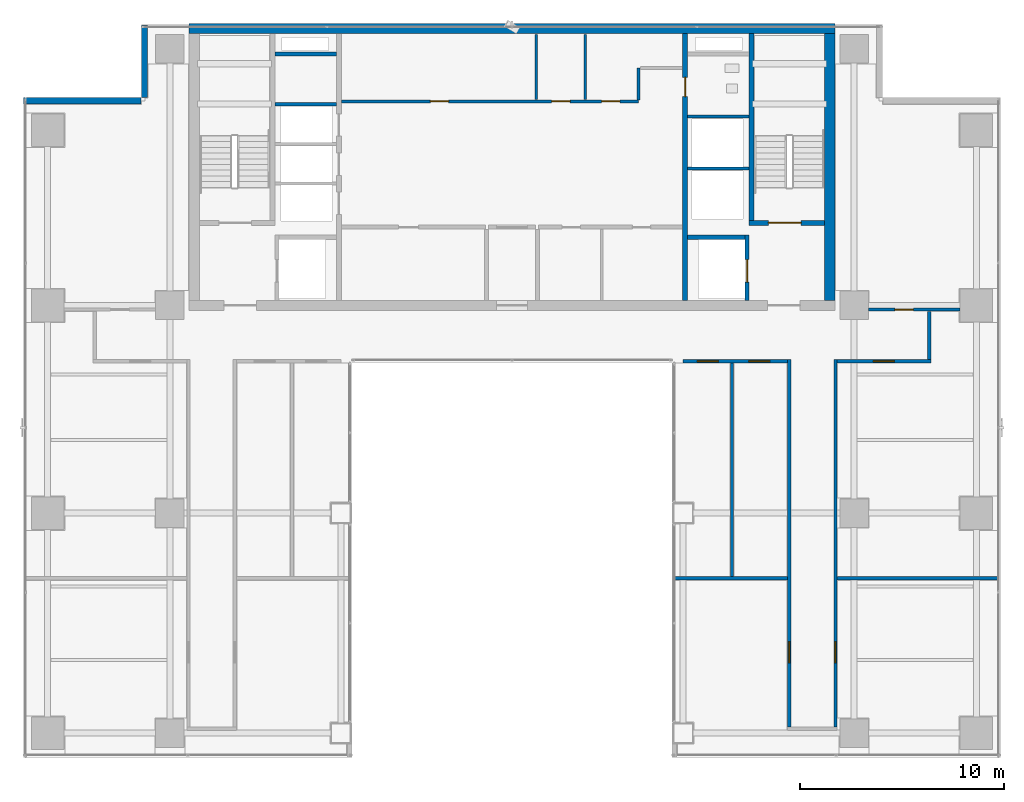
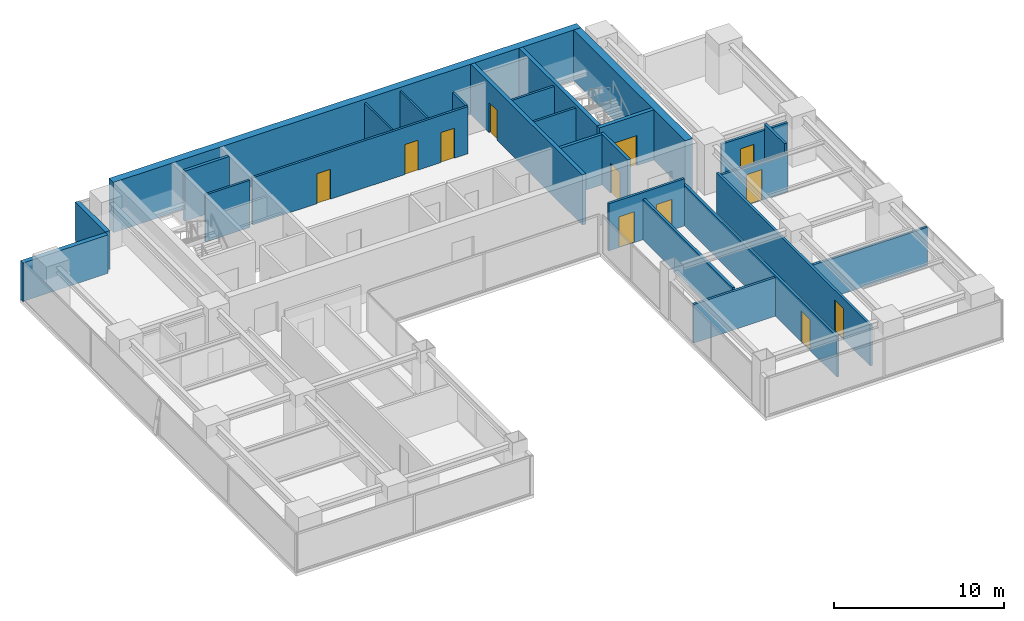
# One storey, part 25 of 29: 26 walls, 12 doors, 12 openings.
"""IFC4 building model written with IfcOpenShell, lengths in metres."""

from ifc_helpers import new_model, si_unit, direction, frame, frame_2d, origin, place, context, subcontext, project, spatial, rectangle, extrude, source, transform, mapped, material, layer, layer_set, type_object, element, fill, save


model = new_model("IFC4")

# Units and contexts
model_context = context("Model", 3, precision=1e-05, world=origin(), true_north=direction((0.0, 1.0)))
body_context = subcontext(model_context, "Body", "Model", "MODEL_VIEW")
ifc_project = project(units=[si_unit("LENGTHUNIT", "METRE"), si_unit("AREAUNIT", "SQUARE_METRE"), si_unit("VOLUMEUNIT", "CUBIC_METRE"), si_unit("PLANEANGLEUNIT", "RADIAN"), si_unit("MASSUNIT", "GRAM", prefix="KILO")], contexts=[model_context])

# Site, building, storey
site_placement = place(None, origin())
site = spatial("IfcSite", under=ifc_project, at=site_placement, CompositionType="ELEMENT")
building_placement = place(site_placement, origin())
building = spatial("IfcBuilding", under=site, at=building_placement, Name="Sumidabori Civic Tower", CompositionType="ELEMENT")
storey_placement = place(building_placement, frame((0.0, 0.0, 218.0)))
storey = spatial("IfcBuildingStorey", under=building, at=storey_placement, Name="L56", CompositionType="ELEMENT", Elevation=218.0)

# Walls
ifc_material_1 = material(Name="Concrete C50/60", Category="concrete")
ifc_layer_1 = layer(ifc_material_1, 0.199951171875, Name="Concrete C50/60")
ifc_layer_set_1 = layer_set([ifc_layer_1], Name="Concrete C50/60")
wall_type_1 = type_object("IfcWallType", Name="WL-SHAFT-200", PredefinedType="SHEAR", material=ifc_layer_set_1)
shared_shape_1 = source(origin(), body_context, "Body", "SweptSolid", [
    extrude(rectangle(XDim=2.824951171875, YDim=0.199951171875, at=frame_2d((1.41259765625, 0.0))), origin(), (0.0, 0.0, 1.0), 3.60009765625),
])
wall_1_placement = place(storey_placement, frame((8.625, 13.550048828125, 0.0), z_axis=(0.0, 0.0, 1.0), x_axis=(1.0, 0.0, 0.0)))
element("IfcWall", 1, at=wall_1_placement, inside=storey, type_object=wall_type_1, Name="Core Shear Wall L56 EL2-N", PredefinedType="SHEAR", context=body_context, shape_type="MappedRepresentation", body=[
    mapped(shared_shape_1, transform((0.0, 0.0, 0.0), x_axis=(1.0, 0.0, 0.0), y_axis=(0.0, 1.0, 0.0), z_axis=(0.0, 0.0, 1.0), scale=1.0)),
])
shared_shape_2 = source(origin(), body_context, "Body", "SweptSolid", [
    extrude(rectangle(XDim=3.02001953125, YDim=0.199951171875, at=frame_2d((1.510009765625, 0.0))), origin(), (0.0, 0.0, 1.0), 3.60009765625),
])
wall_2_placement = place(storey_placement, frame((-11.64501953125, 22.550048828125, 0.0), z_axis=(0.0, 0.0, 1.0), x_axis=(1.0, 0.0, 0.0)))
element("IfcWall", 2, at=wall_2_placement, inside=storey, type_object=wall_type_1, Name="Core Shear Wall L56 RIS1-S", PredefinedType="SHEAR", context=body_context, shape_type="MappedRepresentation", body=[
    mapped(shared_shape_2, transform((0.0, 0.0, 0.0), x_axis=(1.0, 0.0, 0.0), y_axis=(0.0, 1.0, 0.0), z_axis=(0.0, 0.0, 1.0), scale=1.0)),
])
ifc_layer_2 = layer(ifc_material_1, 0.5, Name="Concrete C50/60")
ifc_layer_set_2 = layer_set([ifc_layer_2], Name="Concrete C50/60")
wall_type_2 = type_object("IfcWallType", Name="WL-CORE-500", PredefinedType="SHEAR", material=ifc_layer_set_2)
shared_shape_3 = source(origin(), body_context, "Body", "SweptSolid", [
    extrude(rectangle(XDim=31.7001953125, YDim=0.5, at=frame_2d((15.85009765625, 0.0))), origin(), (0.0, 0.0, 1.0), 3.60009765625),
])
wall_3_placement = place(storey_placement, frame((-15.85009765625, 23.800048828125, 0.0), z_axis=(0.0, 0.0, 1.0), x_axis=(1.0, 0.0, 0.0)))
element("IfcWall", 3, at=wall_3_placement, inside=storey, type_object=wall_type_2, Name="Core Shear Wall L56 N", PredefinedType="SHEAR", context=body_context, shape_type="MappedRepresentation", body=[
    mapped(shared_shape_3, transform((0.0, 0.0, 0.0), x_axis=(1.0, 0.0, 0.0), y_axis=(0.0, 1.0, 0.0), z_axis=(0.0, 0.0, 1.0), scale=1.0)),
])
shared_shape_4 = source(origin(), body_context, "Body", "SweptSolid", [
    extrude(rectangle(XDim=13.10009765625, YDim=0.5, at=frame_2d((6.550048828125, 0.0))), origin(), (0.0, 0.0, 1.0), 3.60009765625),
])
wall_4_placement = place(storey_placement, frame((15.60009765625, 10.449951171875, 0.0), z_axis=(0.0, 0.0, 1.0), x_axis=(0.0, 1.0, 0.0)))
element("IfcWall", 4, at=wall_4_placement, inside=storey, type_object=wall_type_2, Name="Core Shear Wall L56 E", PredefinedType="SHEAR", context=body_context, shape_type="MappedRepresentation", body=[
    mapped(shared_shape_4, transform((0.0, 0.0, 0.0), x_axis=(1.0, 0.0, 0.0), y_axis=(0.0, 1.0, 0.0), z_axis=(0.0, 0.0, 1.0), scale=1.0)),
])

# Wall, opening, door
ifc_layer_3 = layer(ifc_material_1, 0.25, Name="Concrete C50/60")
ifc_layer_set_3 = layer_set([ifc_layer_3], Name="Concrete C50/60")
wall_type_3 = type_object("IfcWallType", Name="WL-SHAFT-250", PredefinedType="SHEAR", material=ifc_layer_set_3)
shared_shape_5 = source(origin(), body_context, "Body", "SweptSolid", [
    extrude(rectangle(XDim=13.10009765625, YDim=0.25, at=frame_2d((6.550048828125, 0.0))), origin(), (0.0, 0.0, 1.0), 3.60009765625),
])
wall_5_placement = place(storey_placement, frame((8.5, 10.449951171875, 0.0), z_axis=(0.0, 0.0, 1.0), x_axis=(0.0, 1.0, 0.0)))
wall_5 = element("IfcWall", 5, at=wall_5_placement, inside=storey, type_object=wall_type_3, Name="Core Shear Wall L56 WEB-E", PredefinedType="SHEAR", context=body_context, shape_type="MappedRepresentation", body=[
    mapped(shared_shape_5, transform((0.0, 0.0, 0.0), x_axis=(1.0, 0.0, 0.0), y_axis=(0.0, 1.0, 0.0), z_axis=(0.0, 0.0, 1.0), scale=1.0)),
])
opening_1_placement = place(wall_5_placement, frame((10.0, 0.0, 0.0)))
opening_1 = element("IfcOpeningElement", 6, at=opening_1_placement, cuts=wall_5, Name="Opening DR-2", PredefinedType="OPENING", context=body_context, shape_type="SweptSolid", body=[
    extrude(rectangle(XDim=0.949951171875, YDim=2.14990234375, at=frame_2d((0.47509765625, 1.074951171875))), frame((0.0, 0.136962890625, 0.0), z_axis=(0.0, -1.0, 0.0), x_axis=(1.0, 0.0, 0.0)), (0.0, 0.0, 1.0), 0.27392578125),
])
ifc_material_2 = material(Name="Japanese Hinoki Timber", Category="wood")
door_type_1 = type_object("IfcDoorType", Name="DR-INT-950", OperationType="NOTDEFINED", PredefinedType="DOOR", material=ifc_material_2)
shared_shape_6 = source(origin(), body_context, "Body", "SweptSolid", [
    extrude(rectangle(XDim=0.949951171875, YDim=2.14990234375, at=frame_2d((0.47509765625, 1.074951171875))), frame((0.0, 0.02490234375, 0.0), z_axis=(0.0, -1.0, 0.0), x_axis=(1.0, 0.0, 0.0)), (0.0, 0.0, 1.0), 0.050048828125),
])
door_1_placement = place(opening_1_placement, origin())
door_1 = element("IfcDoor", 7, at=door_1_placement, inside=storey, type_object=door_type_1, Name="Door DR:L56:WC-ACC", OperationType="SINGLE_SWING_RIGHT", OverallHeight=2.14990234375, OverallWidth=0.949951171875, PredefinedType="DOOR", context=body_context, shape_type="MappedRepresentation", body=[
    mapped(shared_shape_6, transform((0.0, 0.0, 0.0), x_axis=(1.0, 0.0, 0.0), y_axis=(0.0, 1.0, 0.0), z_axis=(0.0, 0.0, 1.0), scale=1.0)),
])
fill(opening_1, door_1)

shared_shape_7 = source(origin(), body_context, "Body", "SweptSolid", [
    extrude(rectangle(XDim=3.705078125, YDim=0.25, at=frame_2d((1.8525390625, 0.0))), origin(), (0.0, 0.0, 1.0), 3.60009765625),
])
wall_6_placement = place(storey_placement, frame((11.64501953125, 14.25, 0.0), z_axis=(0.0, 0.0, 1.0), x_axis=(1.0, 0.0, 0.0)))
wall_6 = element("IfcWall", 8, at=wall_6_placement, inside=storey, type_object=wall_type_3, Name="Core Shear Wall L56 ST2-S", PredefinedType="SHEAR", context=body_context, shape_type="MappedRepresentation", body=[
    mapped(shared_shape_7, transform((0.0, 0.0, 0.0), x_axis=(1.0, 0.0, 0.0), y_axis=(0.0, 1.0, 0.0), z_axis=(0.0, 0.0, 1.0), scale=1.0)),
])
opening_2_placement = place(wall_6_placement, frame((0.949951171875, 0.0, 0.0)))
opening_2 = element("IfcOpeningElement", 9, at=opening_2_placement, cuts=wall_6, Name="Opening DR-FD4", PredefinedType="OPENING", context=body_context, shape_type="SweptSolid", body=[
    extrude(rectangle(XDim=1.60009765625, YDim=2.14990234375, at=frame_2d((0.800048828125, 1.074951171875))), frame((0.0, 0.136962890625, 0.0), z_axis=(0.0, -1.0, 0.0), x_axis=(1.0, 0.0, 0.0)), (0.0, 0.0, 1.0), 0.27392578125),
])
ifc_material_3 = material(Name="Steel SN490", Category="steel")
door_type_2 = type_object("IfcDoorType", Name="DR-FD4", OperationType="DOUBLE_DOOR_SINGLE_SWING", PredefinedType="DOOR", material=ifc_material_3)
shared_shape_8 = source(origin(), body_context, "Body", "SweptSolid", [
    extrude(rectangle(XDim=1.60009765625, YDim=2.14990234375, at=frame_2d((0.800048828125, 1.074951171875))), frame((0.0, 0.02490234375, 0.0), z_axis=(0.0, -1.0, 0.0), x_axis=(1.0, 0.0, 0.0)), (0.0, 0.0, 1.0), 0.050048828125),
])
door_2_placement = place(opening_2_placement, origin())
door_2 = element("IfcDoor", 10, at=door_2_placement, inside=storey, type_object=door_type_2, Name="Door DR:L56:ST2", OperationType="DOUBLE_DOOR_SINGLE_SWING", OverallHeight=2.14990234375, OverallWidth=1.60009765625, PredefinedType="DOOR", context=body_context, shape_type="MappedRepresentation", body=[
    mapped(shared_shape_8, transform((0.0, 0.0, 0.0), x_axis=(1.0, 0.0, 0.0), y_axis=(0.0, 1.0, 0.0), z_axis=(0.0, 0.0, 1.0), scale=1.0)),
])
fill(opening_2, door_2)

# Wall
shared_shape_9 = source(origin(), body_context, "Body", "SweptSolid", [
    extrude(rectangle(XDim=9.175048828125, YDim=0.25, at=frame_2d((4.58740234375, 0.0))), origin(), (0.0, 0.0, 1.0), 3.60009765625),
])
wall_7_placement = place(storey_placement, frame((11.77001953125, 14.375, 0.0), z_axis=(0.0, 0.0, 1.0), x_axis=(0.0, 1.0, 0.0)))
element("IfcWall", 11, at=wall_7_placement, inside=storey, type_object=wall_type_3, Name="Core Shear Wall L56 ST2-W", PredefinedType="SHEAR", context=body_context, shape_type="MappedRepresentation", body=[
    mapped(shared_shape_9, transform((0.0, 0.0, 0.0), x_axis=(1.0, 0.0, 0.0), y_axis=(0.0, 1.0, 0.0), z_axis=(0.0, 0.0, 1.0), scale=1.0)),
])

# Wall, opening, door
shared_shape_10 = source(origin(), body_context, "Body", "SweptSolid", [
    extrude(rectangle(XDim=3.199951171875, YDim=0.199951171875, at=frame_2d((1.60009765625, 0.0))), origin(), (0.0, 0.0, 1.0), 3.60009765625),
])
wall_8_placement = place(storey_placement, frame((11.550048828125, 10.449951171875, 0.0), z_axis=(0.0, 0.0, 1.0), x_axis=(0.0, 1.0, 0.0)))
wall_8 = element("IfcWall", 12, at=wall_8_placement, inside=storey, type_object=wall_type_1, Name="Core Shear Wall L56 EL2-E", PredefinedType="SHEAR", context=body_context, shape_type="MappedRepresentation", body=[
    mapped(shared_shape_10, transform((0.0, 0.0, 0.0), x_axis=(1.0, 0.0, 0.0), y_axis=(0.0, 1.0, 0.0), z_axis=(0.0, 0.0, 1.0), scale=1.0)),
])
opening_3_placement = place(wall_8_placement, frame((0.89990234375, 0.0, 0.0)))
opening_3 = element("IfcOpeningElement", 13, at=opening_3_placement, cuts=wall_8, Name="Opening LD-2", PredefinedType="OPENING", context=body_context, shape_type="SweptSolid", body=[
    extrude(rectangle(XDim=1.10009765625, YDim=2.14990234375, at=frame_2d((0.550048828125, 1.074951171875))), frame((0.0, 0.11181640625, 0.0), z_axis=(0.0, -1.0, 0.0), x_axis=(1.0, 0.0, 0.0)), (0.0, 0.0, 1.0), 0.223876953125),
])
ifc_material_4 = material(Name="Stainless Steel Hairline Finish", Category="steel")
door_type_3 = type_object("IfcDoorType", Name="DR-LD2", OperationType="DOUBLE_DOOR_SLIDING", PredefinedType="DOOR", material=ifc_material_4)
shared_shape_11 = source(origin(), body_context, "Body", "SweptSolid", [
    extrude(rectangle(XDim=1.10009765625, YDim=2.14990234375, at=frame_2d((0.550048828125, 1.074951171875))), frame((0.0, 0.02490234375, 0.0), z_axis=(0.0, -1.0, 0.0), x_axis=(1.0, 0.0, 0.0)), (0.0, 0.0, 1.0), 0.050048828125),
])
door_3_placement = place(opening_3_placement, origin())
door_3 = element("IfcDoor", 14, at=door_3_placement, inside=storey, type_object=door_type_3, Name="Door DR:L56:LD-EL2", OperationType="DOUBLE_DOOR_SLIDING", OverallHeight=2.14990234375, OverallWidth=1.10009765625, PredefinedType="DOOR", context=body_context, shape_type="MappedRepresentation", body=[
    mapped(shared_shape_11, transform((0.0, 0.0, 0.0), x_axis=(1.0, 0.0, 0.0), y_axis=(0.0, 1.0, 0.0), z_axis=(0.0, 0.0, 1.0), scale=1.0)),
])
fill(opening_3, door_3)

# Walls
ifc_material_5 = material(Name="Precast concrete C40/50", Category="concrete")
ifc_layer_4 = layer(ifc_material_5, 0.300048828125, Name="Precast concrete C40/50")
ifc_layer_set_4 = layer_set([ifc_layer_4], Name="Precast concrete C40/50")
wall_type_4 = type_object("IfcWallType", Name="WL-EXT-POD300", PredefinedType="STANDARD", material=ifc_layer_set_4)
shared_shape_12 = source(origin(), body_context, "Body", "SweptSolid", [
    extrude(rectangle(XDim=5.760009765625, YDim=0.300048828125, at=frame_2d((2.8798828125, 0.0))), origin(), (0.0, 0.0, 1.0), 2.760009765625),
])
wall_9_placement = place(storey_placement, frame((-18.219970703125, 20.25, 0.0), z_axis=(0.0, 0.0, 1.0), x_axis=(-1.0, 0.0, 0.0)))
element("IfcWall", 15, at=wall_9_placement, inside=storey, type_object=wall_type_4, Name="Notched Corner Spandrel Band L56-15", PredefinedType="STANDARD", context=body_context, shape_type="MappedRepresentation", body=[
    mapped(shared_shape_12, transform((0.0, 0.0, 0.0), x_axis=(1.0, 0.0, 0.0), y_axis=(0.0, 1.0, 0.0), z_axis=(0.0, 0.0, 1.0), scale=1.0)),
])
shared_shape_13 = source(origin(), body_context, "Body", "SweptSolid", [
    extrude(rectangle(XDim=3.56005859375, YDim=0.300048828125, at=frame_2d((1.780029296875, 0.0))), origin(), (0.0, 0.0, 1.0), 2.760009765625),
])
wall_10_placement = place(storey_placement, frame((-18.050048828125, 23.97998046875, 0.0), z_axis=(0.0, 0.0, 1.0), x_axis=(0.0, -1.0, 0.0)))
element("IfcWall", 16, at=wall_10_placement, inside=storey, type_object=wall_type_4, Name="Notched Corner Spandrel Band L56-14", PredefinedType="STANDARD", context=body_context, shape_type="MappedRepresentation", body=[
    mapped(shared_shape_13, transform((0.0, 0.0, 0.0), x_axis=(1.0, 0.0, 0.0), y_axis=(0.0, 1.0, 0.0), z_axis=(0.0, 0.0, 1.0), scale=1.0)),
])
ifc_material_6 = material(Name="Gypsum Plasterboard Acoustic Partition")
ifc_layer_5 = layer(ifc_material_6, 0.14990234375, Name="Gypsum Plasterboard Acoustic Partition")
ifc_layer_set_5 = layer_set([ifc_layer_5], Name="Gypsum Plasterboard Acoustic Partition")
wall_type_5 = type_object("IfcWallType", Name="WL-PART-150", PredefinedType="PARTITIONING", material=ifc_layer_set_5)
shared_shape_14 = source(origin(), body_context, "Body", "SweptSolid", [
    extrude(rectangle(XDim=3.010009765625, YDim=0.14990234375, at=frame_2d((1.5048828125, 0.0))), origin(), (0.0, 0.0, 1.0), 3.3798828125),
])
for number, where, z_axis, x_axis, name in (
    (17, (-11.639892578125, 20.080078125, 0.0), (0.0, 0.0, 1.0), (1.0, 0.0, 0.0), "Interior Partition WL:L56:DIV-PLH3"),
    (18, (8.6298828125, 16.919921875, 0.0), (0.0, 0.0, 1.0), (1.0, 0.0, 0.0), "Interior Partition WL:L56:DIV-OBS1"),
    (19, (8.6298828125, 19.469970703125, 0.0), (0.0, 0.0, 1.0), (1.0, 0.0, 0.0), "Interior Partition WL:L56:DIV-OBS2"),
):
    element("IfcWall", number, at=place(storey_placement, frame(where, z_axis=z_axis, x_axis=x_axis)), inside=storey, type_object=wall_type_5, Name=name, PredefinedType="PARTITIONING", context=body_context, shape_type="MappedRepresentation", body=[
        mapped(shared_shape_14, transform((0.0, 0.0, 0.0), x_axis=(1.0, 0.0, 0.0), y_axis=(0.0, 1.0, 0.0), z_axis=(0.0, 0.0, 1.0), scale=1.0)),
    ])

# Wall, openings, doors
shared_shape_15 = source(origin(), body_context, "Body", "SweptSolid", [
    extrude(rectangle(XDim=14.590087890625, YDim=0.14990234375, at=frame_2d((7.294921875, 0.0))), origin(), (0.0, 0.0, 1.0), 3.3798828125),
])
wall_11_placement = place(storey_placement, frame((-8.3701171875, 20.219970703125, 0.0), z_axis=(0.0, 0.0, 1.0), x_axis=(1.0, 0.0, 0.0)))
wall_11 = element("IfcWall", 20, at=wall_11_placement, inside=storey, type_object=wall_type_5, Name="Interior Partition WL:L56:CBAND-M", PredefinedType="PARTITIONING", context=body_context, shape_type="MappedRepresentation", body=[
    mapped(shared_shape_15, transform((0.0, 0.0, 0.0), x_axis=(1.0, 0.0, 0.0), y_axis=(0.0, 1.0, 0.0), z_axis=(0.0, 0.0, 1.0), scale=1.0)),
])
opening_4_placement = place(wall_11_placement, frame((4.360107421875, 0.0, 0.0)))
opening_4 = element("IfcOpeningElement", 21, at=opening_4_placement, cuts=wall_11, Name="Opening DR-1", PredefinedType="OPENING", context=body_context, shape_type="SweptSolid", body=[
    extrude(rectangle(XDim=0.89990234375, YDim=2.14990234375, at=frame_2d((0.449951171875, 1.074951171875))), frame((0.0, 0.0869140625, 0.0), z_axis=(0.0, -1.0, 0.0), x_axis=(1.0, 0.0, 0.0)), (0.0, 0.0, 1.0), 0.173828125),
])
opening_5_placement = place(wall_11_placement, frame((10.320068359375, 0.0, 0.0)))
opening_5 = element("IfcOpeningElement", 22, at=opening_5_placement, cuts=wall_11, Name="Opening DR-1", PredefinedType="OPENING", context=body_context, shape_type="SweptSolid", body=[
    extrude(rectangle(XDim=0.89990234375, YDim=2.14990234375, at=frame_2d((0.449951171875, 1.074951171875))), frame((0.0, 0.0869140625, 0.0), z_axis=(0.0, -1.0, 0.0), x_axis=(1.0, 0.0, 0.0)), (0.0, 0.0, 1.0), 0.173828125),
])
opening_6_placement = place(wall_11_placement, frame((12.77001953125, 0.0, 0.0)))
opening_6 = element("IfcOpeningElement", 23, at=opening_6_placement, cuts=wall_11, Name="Opening DR-1", PredefinedType="OPENING", context=body_context, shape_type="SweptSolid", body=[
    extrude(rectangle(XDim=0.89990234375, YDim=2.14990234375, at=frame_2d((0.449951171875, 1.074951171875))), frame((0.0, 0.0869140625, 0.0), z_axis=(0.0, -1.0, 0.0), x_axis=(1.0, 0.0, 0.0)), (0.0, 0.0, 1.0), 0.173828125),
])
door_type_4 = type_object("IfcDoorType", Name="DR-INT-900", OperationType="NOTDEFINED", PredefinedType="DOOR", material=ifc_material_2)
shared_shape_16 = source(origin(), body_context, "Body", "SweptSolid", [
    extrude(rectangle(XDim=0.89990234375, YDim=2.14990234375, at=frame_2d((0.449951171875, 1.074951171875))), frame((0.0, 0.02490234375, 0.0), z_axis=(0.0, -1.0, 0.0), x_axis=(1.0, 0.0, 0.0)), (0.0, 0.0, 1.0), 0.050048828125),
])
door_4_placement = place(opening_4_placement, origin())
door_4 = element("IfcDoor", 24, at=door_4_placement, inside=storey, type_object=door_type_4, Name="Door DR:L56:CB-1", OperationType="SINGLE_SWING_LEFT", OverallHeight=2.14990234375, OverallWidth=0.89990234375, PredefinedType="DOOR", context=body_context, shape_type="MappedRepresentation", body=[
    mapped(shared_shape_16, transform((0.0, 0.0, 0.0), x_axis=(1.0, 0.0, 0.0), y_axis=(0.0, 1.0, 0.0), z_axis=(0.0, 0.0, 1.0), scale=1.0)),
])
fill(opening_4, door_4)
door_5_placement = place(opening_5_placement, origin())
door_5 = element("IfcDoor", 25, at=door_5_placement, inside=storey, type_object=door_type_4, Name="Door DR:L56:CB-2", OperationType="SINGLE_SWING_RIGHT", OverallHeight=2.14990234375, OverallWidth=0.89990234375, PredefinedType="DOOR", context=body_context, shape_type="MappedRepresentation", body=[
    mapped(shared_shape_16, transform((0.0, 0.0, 0.0), x_axis=(1.0, 0.0, 0.0), y_axis=(0.0, 1.0, 0.0), z_axis=(0.0, 0.0, 1.0), scale=1.0)),
])
fill(opening_5, door_5)
door_6_placement = place(opening_6_placement, origin())
door_6 = element("IfcDoor", 26, at=door_6_placement, inside=storey, type_object=door_type_4, Name="Door DR:L56:CB-3", OperationType="SINGLE_SWING_LEFT", OverallHeight=2.14990234375, OverallWidth=0.89990234375, PredefinedType="DOOR", context=body_context, shape_type="MappedRepresentation", body=[
    mapped(shared_shape_16, transform((0.0, 0.0, 0.0), x_axis=(1.0, 0.0, 0.0), y_axis=(0.0, 1.0, 0.0), z_axis=(0.0, 0.0, 1.0), scale=1.0)),
])
fill(opening_6, door_6)

# Walls
shared_shape_17 = source(origin(), body_context, "Body", "SweptSolid", [
    extrude(rectangle(XDim=1.550048828125, YDim=0.14990234375, at=frame_2d((0.77490234375, 0.0))), origin(), (0.0, 0.0, 1.0), 3.3798828125),
])
wall_12_placement = place(storey_placement, frame((6.219970703125, 20.300048828125, 0.0), z_axis=(0.0, 0.0, 1.0), x_axis=(0.0, 1.0, 0.0)))
element("IfcWall", 27, at=wall_12_placement, inside=storey, type_object=wall_type_5, Name="Interior Partition WL:L56:CBAND-ME1", PredefinedType="PARTITIONING", context=body_context, shape_type="MappedRepresentation", body=[
    mapped(shared_shape_17, transform((0.0, 0.0, 0.0), x_axis=(1.0, 0.0, 0.0), y_axis=(0.0, 1.0, 0.0), z_axis=(0.0, 0.0, 1.0), scale=1.0)),
])
ifc_layer_6 = layer(ifc_material_6, 0.1201171875, Name="Gypsum Plasterboard Acoustic Partition")
ifc_layer_set_6 = layer_set([ifc_layer_6], Name="Gypsum Plasterboard Acoustic Partition")
wall_type_6 = type_object("IfcWallType", Name="WL-PART-120", PredefinedType="PARTITIONING", material=ifc_layer_set_6)
shared_shape_18 = source(origin(), body_context, "Body", "SweptSolid", [
    extrude(rectangle(XDim=3.18994140625, YDim=0.1201171875, at=frame_2d((1.594970703125, 0.0))), origin(), (0.0, 0.0, 1.0), 3.3798828125),
])
for number, where, z_axis, x_axis, name in (
    (28, (1.199951171875, 20.320068359375, 0.0), (0.0, 0.0, 1.0), (0.0, 1.0, 0.0), "Interior Partition WL:L56:LV8-S1"),
    (29, (3.60009765625, 20.320068359375, 0.0), (0.0, 0.0, 1.0), (0.0, 1.0, 0.0), "Interior Partition WL:L56:LV8-S2"),
):
    element("IfcWall", number, at=place(storey_placement, frame(where, z_axis=z_axis, x_axis=x_axis)), inside=storey, type_object=wall_type_6, Name=name, PredefinedType="PARTITIONING", context=body_context, shape_type="MappedRepresentation", body=[
        mapped(shared_shape_18, transform((0.0, 0.0, 0.0), x_axis=(1.0, 0.0, 0.0), y_axis=(0.0, 1.0, 0.0), z_axis=(0.0, 0.0, 1.0), scale=1.0)),
    ])

# Wall, opening, door
ifc_layer_7 = layer(ifc_material_6, 0.1650390625, Name="Gypsum Plasterboard Acoustic Partition")
ifc_layer_set_7 = layer_set([ifc_layer_7], Name="Gypsum Plasterboard Acoustic Partition")
wall_type_7 = type_object("IfcWallType", Name="WL-PART-165", PredefinedType="PARTITIONING", material=ifc_layer_set_7)
shared_shape_19 = source(origin(), body_context, "Body", "SweptSolid", [
    extrude(rectangle(XDim=4.47998046875, YDim=0.1650390625, at=frame_2d((2.239990234375, 0.0))), origin(), (0.0, 0.0, 1.0), 2.9150390625),
])
wall_13_placement = place(storey_placement, frame((17.510009765625, 10.0, 0.0), z_axis=(0.0, 0.0, 1.0), x_axis=(1.0, 0.0, 0.0)))
wall_13 = element("IfcWall", 30, at=wall_13_placement, inside=storey, type_object=wall_type_7, Name="Interior Partition WL:L56:FLK-NE", PredefinedType="PARTITIONING", context=body_context, shape_type="MappedRepresentation", body=[
    mapped(shared_shape_19, transform((0.0, 0.0, 0.0), x_axis=(1.0, 0.0, 0.0), y_axis=(0.0, 1.0, 0.0), z_axis=(0.0, 0.0, 1.0), scale=1.0)),
])
opening_7_placement = place(wall_13_placement, frame((1.294921875, 0.0, 0.0)))
opening_7 = element("IfcOpeningElement", 31, at=opening_7_placement, cuts=wall_13, Name="Opening DR-1", PredefinedType="OPENING", context=body_context, shape_type="SweptSolid", body=[
    extrude(rectangle(XDim=0.89990234375, YDim=2.14990234375, at=frame_2d((0.449951171875, 1.074951171875))), frame((0.0, 0.094482421875, 0.0), z_axis=(0.0, -1.0, 0.0), x_axis=(1.0, 0.0, 0.0)), (0.0, 0.0, 1.0), 0.18896484375),
])
door_7_placement = place(opening_7_placement, origin())
door_7 = element("IfcDoor", 32, at=door_7_placement, inside=storey, type_object=door_type_4, Name="Door DR:L56:FLK-NE", OperationType="SINGLE_SWING_RIGHT", OverallHeight=2.14990234375, OverallWidth=0.89990234375, PredefinedType="DOOR", context=body_context, shape_type="MappedRepresentation", body=[
    mapped(shared_shape_16, transform((0.0, 0.0, 0.0), x_axis=(1.0, 0.0, 0.0), y_axis=(0.0, 1.0, 0.0), z_axis=(0.0, 0.0, 1.0), scale=1.0)),
])
fill(opening_7, door_7)

shared_shape_20 = source(origin(), body_context, "Body", "SweptSolid", [
    extrude(rectangle(XDim=4.599853515625, YDim=0.1650390625, at=frame_2d((2.2998046875, 0.0))), origin(), (0.0, 0.0, 1.0), 2.764892578125),
])
wall_14_placement = place(storey_placement, frame((15.965087890625, 7.467529296875, 0.0), z_axis=(0.0, 0.0, 1.0), x_axis=(1.0, 0.0, 0.0)))
wall_14 = element("IfcWall", 33, at=wall_14_placement, inside=storey, type_object=wall_type_7, Name="Interior Partition WL:L56:CORR-SEO", PredefinedType="PARTITIONING", context=body_context, shape_type="MappedRepresentation", body=[
    mapped(shared_shape_20, transform((0.0, 0.0, 0.0), x_axis=(1.0, 0.0, 0.0), y_axis=(0.0, 1.0, 0.0), z_axis=(0.0, 0.0, 1.0), scale=1.0)),
])
opening_8_placement = place(wall_14_placement, frame((1.777587890625, 0.0, 0.0)))
opening_8 = element("IfcOpeningElement", 34, at=opening_8_placement, cuts=wall_14, Name="Opening DR-4", PredefinedType="OPENING", context=body_context, shape_type="SweptSolid", body=[
    extrude(rectangle(XDim=1.0400390625, YDim=2.199951171875, at=frame_2d((0.52001953125, 1.10009765625))), frame((0.0, 0.094482421875, 0.0), z_axis=(0.0, -1.0, 0.0), x_axis=(1.0, 0.0, 0.0)), (0.0, 0.0, 1.0), 0.18896484375),
])
door_type_5 = type_object("IfcDoorType", Name="DR-INT-1040", OperationType="NOTDEFINED", PredefinedType="DOOR", material=ifc_material_2)
shared_shape_21 = source(origin(), body_context, "Body", "SweptSolid", [
    extrude(rectangle(XDim=1.0400390625, YDim=2.199951171875, at=frame_2d((0.52001953125, 1.10009765625))), frame((0.0, 0.02490234375, 0.0), z_axis=(0.0, -1.0, 0.0), x_axis=(1.0, 0.0, 0.0)), (0.0, 0.0, 1.0), 0.050048828125),
])
door_8_placement = place(opening_8_placement, origin())
door_8 = element("IfcDoor", 35, at=door_8_placement, inside=storey, type_object=door_type_5, Name="Door DR:L56:D04", OperationType="SINGLE_SWING_RIGHT", OverallHeight=2.199951171875, OverallWidth=1.0400390625, PredefinedType="DOOR", context=body_context, shape_type="MappedRepresentation", body=[
    mapped(shared_shape_21, transform((0.0, 0.0, 0.0), x_axis=(1.0, 0.0, 0.0), y_axis=(0.0, 1.0, 0.0), z_axis=(0.0, 0.0, 1.0), scale=1.0)),
])
fill(opening_8, door_8)

# Wall, openings, doors
shared_shape_22 = source(origin(), body_context, "Body", "SweptSolid", [
    extrude(rectangle(XDim=5.135009765625, YDim=0.1650390625, at=frame_2d((2.5673828125, 0.0))), origin(), (0.0, 0.0, 1.0), 3.3798828125),
])
wall_15_placement = place(storey_placement, frame((8.39990234375, 7.467529296875, 0.0), z_axis=(0.0, 0.0, 1.0), x_axis=(1.0, 0.0, 0.0)))
wall_15 = element("IfcWall", 36, at=wall_15_placement, inside=storey, type_object=wall_type_7, Name="Interior Partition WL:L56:CORR-SEI", PredefinedType="PARTITIONING", context=body_context, shape_type="MappedRepresentation", body=[
    mapped(shared_shape_22, transform((0.0, 0.0, 0.0), x_axis=(1.0, 0.0, 0.0), y_axis=(0.0, 1.0, 0.0), z_axis=(0.0, 0.0, 1.0), scale=1.0)),
])
opening_9_placement = place(wall_15_placement, frame((0.69873046875, 0.0, 0.0)))
opening_9 = element("IfcOpeningElement", 37, at=opening_9_placement, cuts=wall_15, Name="Opening DR-4", PredefinedType="OPENING", context=body_context, shape_type="SweptSolid", body=[
    extrude(rectangle(XDim=1.0400390625, YDim=2.199951171875, at=frame_2d((0.52001953125, 1.10009765625))), frame((0.0, 0.094482421875, 0.0), z_axis=(0.0, -1.0, 0.0), x_axis=(1.0, 0.0, 0.0)), (0.0, 0.0, 1.0), 0.18896484375),
])
opening_10_placement = place(wall_15_placement, frame((3.228759765625, 0.0, 0.0)))
opening_10 = element("IfcOpeningElement", 38, at=opening_10_placement, cuts=wall_15, Name="Opening DR-4", PredefinedType="OPENING", context=body_context, shape_type="SweptSolid", body=[
    extrude(rectangle(XDim=1.0400390625, YDim=2.199951171875, at=frame_2d((0.52001953125, 1.10009765625))), frame((0.0, 0.094482421875, 0.0), z_axis=(0.0, -1.0, 0.0), x_axis=(1.0, 0.0, 0.0)), (0.0, 0.0, 1.0), 0.18896484375),
])
door_9_placement = place(opening_9_placement, origin())
door_9 = element("IfcDoor", 39, at=door_9_placement, inside=storey, type_object=door_type_5, Name="Door DR:L56:D06", OperationType="SINGLE_SWING_RIGHT", OverallHeight=2.199951171875, OverallWidth=1.0400390625, PredefinedType="DOOR", context=body_context, shape_type="MappedRepresentation", body=[
    mapped(shared_shape_21, transform((0.0, 0.0, 0.0), x_axis=(1.0, 0.0, 0.0), y_axis=(0.0, 1.0, 0.0), z_axis=(0.0, 0.0, 1.0), scale=1.0)),
])
fill(opening_9, door_9)
door_10_placement = place(opening_10_placement, origin())
door_10 = element("IfcDoor", 40, at=door_10_placement, inside=storey, type_object=door_type_5, Name="Door DR:L56:D08", OperationType="SINGLE_SWING_RIGHT", OverallHeight=2.199951171875, OverallWidth=1.0400390625, PredefinedType="DOOR", context=body_context, shape_type="MappedRepresentation", body=[
    mapped(shared_shape_21, transform((0.0, 0.0, 0.0), x_axis=(1.0, 0.0, 0.0), y_axis=(0.0, 1.0, 0.0), z_axis=(0.0, 0.0, 1.0), scale=1.0)),
])
fill(opening_10, door_10)

# Wall
shared_shape_23 = source(origin(), body_context, "Body", "SweptSolid", [
    extrude(rectangle(XDim=2.357666015625, YDim=0.1650390625, at=frame_2d((1.1787109375, 0.0))), origin(), (0.0, 0.0, 1.0), 3.3798828125),
])
wall_16_placement = place(storey_placement, frame((20.482421875, 7.554931640625, 0.0), z_axis=(0.0, 0.0, 1.0), x_axis=(0.0, 1.0, 0.0)))
element("IfcWall", 41, at=wall_16_placement, inside=storey, type_object=wall_type_7, Name="Interior Partition WL:L56:CORR-VNE", PredefinedType="PARTITIONING", context=body_context, shape_type="MappedRepresentation", body=[
    mapped(shared_shape_23, transform((0.0, 0.0, 0.0), x_axis=(1.0, 0.0, 0.0), y_axis=(0.0, 1.0, 0.0), z_axis=(0.0, 0.0, 1.0), scale=1.0)),
])

# Wall, opening, door
shared_shape_24 = source(origin(), body_context, "Body", "SweptSolid", [
    extrude(rectangle(XDim=18.045166015625, YDim=0.1650390625, at=frame_2d((9.0224609375, 0.0))), origin(), (0.0, 0.0, 1.0), 2.9150390625),
])
wall_17_placement = place(storey_placement, frame((13.617431640625, -10.4951171875, 0.0), z_axis=(0.0, 0.0, 1.0), x_axis=(0.0, 1.0, 0.0)))
wall_17 = element("IfcWall", 42, at=wall_17_placement, inside=storey, type_object=wall_type_7, Name="Interior Partition WL:L56:CORR-VPE-I", PredefinedType="PARTITIONING", context=body_context, shape_type="MappedRepresentation", body=[
    mapped(shared_shape_24, transform((0.0, 0.0, 0.0), x_axis=(1.0, 0.0, 0.0), y_axis=(0.0, 1.0, 0.0), z_axis=(0.0, 0.0, 1.0), scale=1.0)),
])
opening_11_placement = place(wall_17_placement, frame((3.146240234375, 0.0, 0.0)))
opening_11 = element("IfcOpeningElement", 43, at=opening_11_placement, cuts=wall_17, Name="Opening DR-4", PredefinedType="OPENING", context=body_context, shape_type="SweptSolid", body=[
    extrude(rectangle(XDim=1.0400390625, YDim=2.199951171875, at=frame_2d((0.52001953125, 1.10009765625))), frame((0.0, 0.094482421875, 0.0), z_axis=(0.0, -1.0, 0.0), x_axis=(1.0, 0.0, 0.0)), (0.0, 0.0, 1.0), 0.18896484375),
])
door_11_placement = place(opening_11_placement, origin())
door_11 = element("IfcDoor", 44, at=door_11_placement, inside=storey, type_object=door_type_5, Name="Door DR:L56:D12", OperationType="SINGLE_SWING_RIGHT", OverallHeight=2.199951171875, OverallWidth=1.0400390625, PredefinedType="DOOR", context=body_context, shape_type="MappedRepresentation", body=[
    mapped(shared_shape_21, transform((0.0, 0.0, 0.0), x_axis=(1.0, 0.0, 0.0), y_axis=(0.0, 1.0, 0.0), z_axis=(0.0, 0.0, 1.0), scale=1.0)),
])
fill(opening_11, door_11)

wall_18_placement = place(storey_placement, frame((15.882568359375, -10.4951171875, 0.0), z_axis=(0.0, 0.0, 1.0), x_axis=(0.0, 1.0, 0.0)))
wall_18 = element("IfcWall", 45, at=wall_18_placement, inside=storey, type_object=wall_type_7, Name="Interior Partition WL:L56:CORR-VPE-O", PredefinedType="PARTITIONING", context=body_context, shape_type="MappedRepresentation", body=[
    mapped(shared_shape_24, transform((0.0, 0.0, 0.0), x_axis=(1.0, 0.0, 0.0), y_axis=(0.0, 1.0, 0.0), z_axis=(0.0, 0.0, 1.0), scale=1.0)),
])
opening_12_placement = place(wall_18_placement, frame((3.146240234375, 0.0, 0.0)))
opening_12 = element("IfcOpeningElement", 46, at=opening_12_placement, cuts=wall_18, Name="Opening DR-4", PredefinedType="OPENING", context=body_context, shape_type="SweptSolid", body=[
    extrude(rectangle(XDim=1.0400390625, YDim=2.199951171875, at=frame_2d((0.52001953125, 1.10009765625))), frame((0.0, 0.094482421875, 0.0), z_axis=(0.0, -1.0, 0.0), x_axis=(1.0, 0.0, 0.0)), (0.0, 0.0, 1.0), 0.18896484375),
])
door_12_placement = place(opening_12_placement, origin())
door_12 = element("IfcDoor", 47, at=door_12_placement, inside=storey, type_object=door_type_5, Name="Door DR:L56:D10", OperationType="SINGLE_SWING_RIGHT", OverallHeight=2.199951171875, OverallWidth=1.0400390625, PredefinedType="DOOR", context=body_context, shape_type="MappedRepresentation", body=[
    mapped(shared_shape_21, transform((0.0, 0.0, 0.0), x_axis=(1.0, 0.0, 0.0), y_axis=(0.0, 1.0, 0.0), z_axis=(0.0, 0.0, 1.0), scale=1.0)),
])
fill(opening_12, door_12)

# Walls
shared_shape_25 = source(origin(), body_context, "Body", "SweptSolid", [
    extrude(rectangle(XDim=7.880126953125, YDim=0.1650390625, at=frame_2d((3.93994140625, 0.0))), origin(), (0.0, 0.0, 1.0), 2.764892578125),
])
wall_19_placement = place(storey_placement, frame((15.969970703125, -3.199951171875, 0.0), z_axis=(0.0, 0.0, 1.0), x_axis=(1.0, 0.0, 0.0)))
element("IfcWall", 48, at=wall_19_placement, inside=storey, type_object=wall_type_7, Name="Interior Partition WL:L56:BAND-YE-2", PredefinedType="PARTITIONING", context=body_context, shape_type="MappedRepresentation", body=[
    mapped(shared_shape_25, transform((0.0, 0.0, 0.0), x_axis=(1.0, 0.0, 0.0), y_axis=(0.0, 1.0, 0.0), z_axis=(0.0, 0.0, 1.0), scale=1.0)),
])
shared_shape_26 = source(origin(), body_context, "Body", "SweptSolid", [
    extrude(rectangle(XDim=5.530029296875, YDim=0.1650390625, at=frame_2d((2.76513671875, 0.0))), origin(), (0.0, 0.0, 1.0), 2.764892578125),
])
wall_20_placement = place(storey_placement, frame((8.0, -3.199951171875, 0.0), z_axis=(0.0, 0.0, 1.0), x_axis=(1.0, 0.0, 0.0)))
element("IfcWall", 49, at=wall_20_placement, inside=storey, type_object=wall_type_7, Name="Interior Partition WL:L56:BAND-YE-1", PredefinedType="PARTITIONING", context=body_context, shape_type="MappedRepresentation", body=[
    mapped(shared_shape_26, transform((0.0, 0.0, 0.0), x_axis=(1.0, 0.0, 0.0), y_axis=(0.0, 1.0, 0.0), z_axis=(0.0, 0.0, 1.0), scale=1.0)),
])
shared_shape_27 = source(origin(), body_context, "Body", "SweptSolid", [
    extrude(rectangle(XDim=10.492431640625, YDim=0.1650390625, at=frame_2d((5.24609375, 0.0))), origin(), (0.0, 0.0, 1.0), 2.9150390625),
])
wall_21_placement = place(storey_placement, frame((10.800048828125, -3.112548828125, 0.0), z_axis=(0.0, 0.0, 1.0), x_axis=(0.0, 1.0, 0.0)))
element("IfcWall", 50, at=wall_21_placement, inside=storey, type_object=wall_type_7, Name="Interior Partition WL:L56:VX-N2", PredefinedType="PARTITIONING", context=body_context, shape_type="MappedRepresentation", body=[
    mapped(shared_shape_27, transform((0.0, 0.0, 0.0), x_axis=(1.0, 0.0, 0.0), y_axis=(0.0, 1.0, 0.0), z_axis=(0.0, 0.0, 1.0), scale=1.0)),
])

save(model, "model.ifc")
